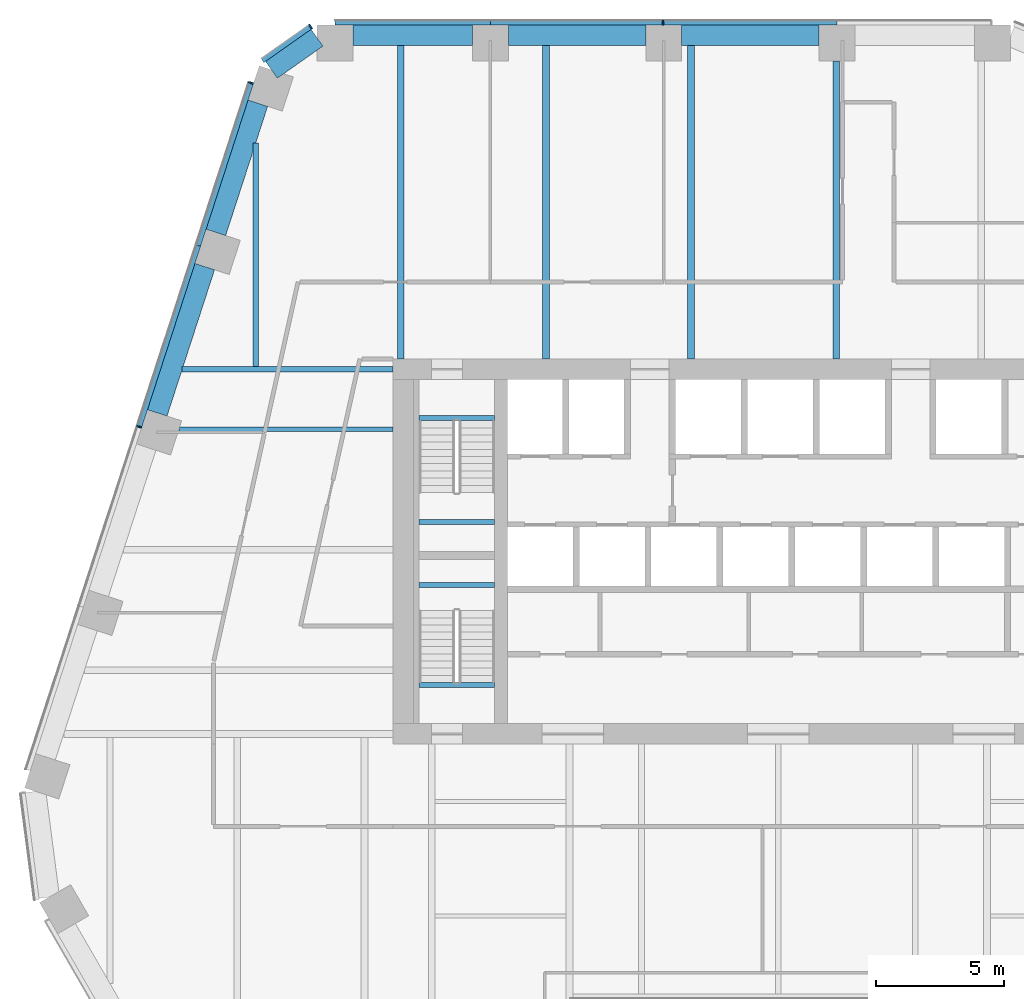
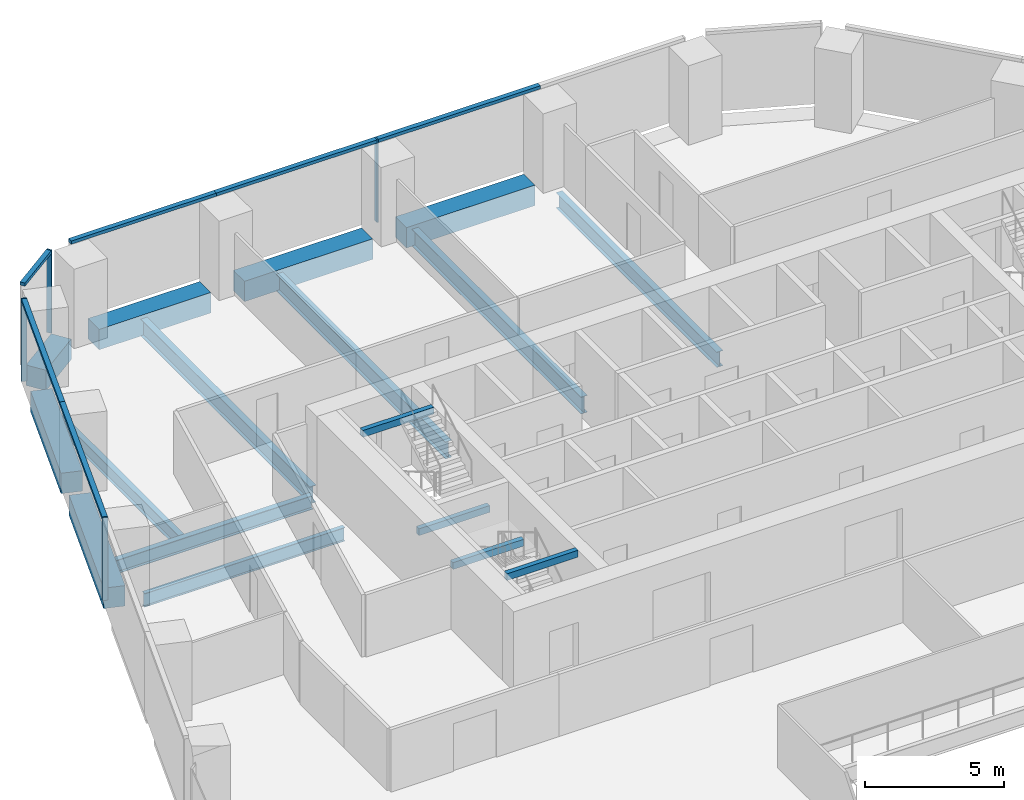
# One storey, part 7 of 16: 17 beams, 10 members, 3 elements without a shape of their own.
"""IFC4 building model written with IfcOpenShell, lengths in metres."""

from ifc_helpers import new_model, si_unit, direction, frame, origin, origin_2d, place, context, subcontext, project, spatial, rectangle, i_section, extrude, material, layer, layer_set, material_profile, profile_set, type_object, element, aggregate, save


model = new_model("IFC4")

# Units and contexts
model_context = context("Model", 3, precision=1e-05, world=origin(), true_north=direction((0.0, 1.0)))
body_context = subcontext(model_context, "Body", "Model", "MODEL_VIEW")
ifc_project = project(units=[si_unit("LENGTHUNIT", "METRE"), si_unit("AREAUNIT", "SQUARE_METRE"), si_unit("VOLUMEUNIT", "CUBIC_METRE"), si_unit("PLANEANGLEUNIT", "RADIAN"), si_unit("MASSUNIT", "GRAM", prefix="KILO")], contexts=[model_context])

# Site, building, storey
site_placement = place(None, origin())
site = spatial("IfcSite", under=ifc_project, at=site_placement, CompositionType="ELEMENT")
building_placement = place(site_placement, origin())
building = spatial("IfcBuilding", under=site, at=building_placement, Name="Isthmus Gate Tower", CompositionType="ELEMENT")
storey_placement = place(building_placement, frame((0.0, 0.0, 140.75)))
storey = spatial("IfcBuildingStorey", under=building, at=storey_placement, Name="L34", CompositionType="ELEMENT", Elevation=140.75)

# Curtain wall, member
ifc_material_1 = material(Name="Aluminium, pale champagne anodised", Category="aluminium")
ifc_layer = layer(ifc_material_1, 0.199951171875)
ifc_layer_set = layer_set([ifc_layer], Name="CW-1 UNITISED CURTAIN WALL 200 DEEP")
curtain_wall_type = type_object("IfcCurtainWallType", Name="CW-1 UNITISED CURTAIN WALL 200 DEEP", PredefinedType="NOTDEFINED", material=ifc_layer_set)
curtain_wall_1_placement = place(storey_placement, origin())
curtain_wall_1 = element("IfcCurtainWall", 1, at=curtain_wall_1_placement, inside=storey, type_object=curtain_wall_type, Name="CW-1 N L34", PredefinedType="NOTDEFINED")
ifc_material_2 = material(Name="Aluminium, pale champagne anodised", Category="aluminium")
ifc_material_profile_1 = material_profile(ifc_material_2, rectangle(XDim=0.06005859375, YDim=0.199951171875, at=origin_2d()), Name="60x200")
ifc_profile_set_1 = profile_set([ifc_material_profile_1], Name="Aluminium, pale champagne anodised")
member_type_1 = type_object("IfcMemberType", Name="CW-1 MULLION 60 X 200", PredefinedType="MULLION", material=ifc_profile_set_1)
member_1_placement = place(storey_placement, frame((-4.49169921875, 28.10009765625, 0.0), z_axis=(0.0, 0.0, 1.0), x_axis=(-1.0, 0.0, 0.0)))
member_1 = element("IfcMember", 2, at=member_1_placement, type_object=member_type_1, Name="CW-1 mullion", PredefinedType="MULLION", context=body_context, shape_type="SweptSolid", body=[
    extrude(rectangle(XDim=0.06005859375, YDim=0.199951171875, at=origin_2d()), origin(), (0.0, 0.0, 1.0), 3.64990234375),
])

curtain_wall_2_placement = place(storey_placement, origin())
curtain_wall_2 = element("IfcCurtainWall", 3, at=curtain_wall_2_placement, inside=storey, type_object=curtain_wall_type, Name="CW-1 N-NW L34", PredefinedType="NOTDEFINED")
member_2_placement = place(storey_placement, frame((-18.216552734375, 27.943115234375, 0.0), z_axis=(0.0, 0.0, 1.0), x_axis=(-0.81785959165, -0.57541783805, 0.0)))
member_2 = element("IfcMember", 4, at=member_2_placement, type_object=member_type_1, Name="CW-1 mullion", PredefinedType="MULLION", context=body_context, shape_type="SweptSolid", body=[
    extrude(rectangle(XDim=0.06005859375, YDim=0.199951171875, at=origin_2d()), origin(), (0.0, 0.0, 1.0), 3.64990234375),
])

# Curtain wall, members
curtain_wall_3_placement = place(storey_placement, origin())
curtain_wall_3 = element("IfcCurtainWall", 5, at=curtain_wall_3_placement, inside=storey, type_object=curtain_wall_type, Name="CW-1 NW L34", PredefinedType="NOTDEFINED")
member_3_placement = place(storey_placement, frame((-20.53564453125, 25.75146484375, 0.0), z_axis=(0.0, 0.0, 1.0), x_axis=(-0.309016994375, -0.951056516295, 0.0)))
member_3 = element("IfcMember", 6, at=member_3_placement, type_object=member_type_1, Name="CW-1 mullion", PredefinedType="MULLION", context=body_context, shape_type="SweptSolid", body=[
    extrude(rectangle(XDim=0.06005859375, YDim=0.199951171875, at=origin_2d()), origin(), (0.0, 0.0, 1.0), 3.64990234375),
])
member_4_placement = place(storey_placement, frame((-24.886962890625, 12.359130859375, 0.0), z_axis=(0.0, 0.0, 1.0), x_axis=(-0.309016994375, -0.951056516295, 0.0)))
member_4 = element("IfcMember", 7, at=member_4_placement, type_object=member_type_1, Name="CW-1 mullion", PredefinedType="MULLION", context=body_context, shape_type="SweptSolid", body=[
    extrude(rectangle(XDim=0.06005859375, YDim=0.199951171875, at=origin_2d()), origin(), (0.0, 0.0, 1.0), 3.64990234375),
])

# Member
ifc_material_3 = material(Name="Aluminium, pale champagne anodised", Category="aluminium")
ifc_material_profile_2 = material_profile(ifc_material_3, rectangle(XDim=0.199951171875, YDim=0.139892578125, at=origin_2d()), Name="200x140")
ifc_profile_set_2 = profile_set([ifc_material_profile_2], Name="Aluminium, pale champagne anodised")
member_type_2 = type_object("IfcMemberType", Name="CW-1 TRANSOM 200 X 140", PredefinedType="USERDEFINED", material=ifc_profile_set_2)
member_5_placement = place(storey_placement, frame((2.288330078125, 28.10009765625, 3.580078125), z_axis=(-1.0, 0.0, 0.0), x_axis=(0.0, -1.0, 0.0)))
member_5 = element("IfcMember", 8, at=member_5_placement, type_object=member_type_2, Name="CW-1 transom", ObjectType="TRANSOM", PredefinedType="USERDEFINED", context=body_context, shape_type="SweptSolid", body=[
    extrude(rectangle(XDim=0.199951171875, YDim=0.139892578125, at=origin_2d()), origin(), (0.0, 0.0, 1.0), 6.75),
])

member_6_placement = place(storey_placement, frame((-4.521728515625, 28.10009765625, 3.580078125), z_axis=(-1.0, 0.0, 0.0), x_axis=(0.0, -1.0, 0.0)))
member_6 = element("IfcMember", 9, at=member_6_placement, type_object=member_type_2, Name="CW-1 transom", ObjectType="TRANSOM", PredefinedType="USERDEFINED", context=body_context, shape_type="SweptSolid", body=[
    extrude(rectangle(XDim=0.199951171875, YDim=0.139892578125, at=origin_2d()), origin(), (0.0, 0.0, 1.0), 6.690185546875),
])

member_7_placement = place(storey_placement, frame((-11.2119140625, 28.10009765625, 3.580078125), z_axis=(-1.0, 0.0, 0.0), x_axis=(0.0, -1.0, 0.0)))
member_7 = element("IfcMember", 10, at=member_7_placement, type_object=member_type_2, Name="CW-1 transom", ObjectType="TRANSOM", PredefinedType="USERDEFINED", context=body_context, shape_type="SweptSolid", body=[
    extrude(rectangle(XDim=0.199951171875, YDim=0.139892578125, at=origin_2d()), origin(), (0.0, 0.0, 1.0), 6.050048828125),
])

aggregate(curtain_wall_1, [member_5, member_1, member_6, member_7])

member_8_placement = place(storey_placement, frame((-18.2412109375, 27.92578125, 3.580078125), z_axis=(-0.817868595604, -0.575405040233, 0.0), x_axis=(0.575405040233, -0.817868595604, 0.0)))
member_8 = element("IfcMember", 11, at=member_8_placement, type_object=member_type_2, Name="CW-1 transom", ObjectType="TRANSOM", PredefinedType="USERDEFINED", context=body_context, shape_type="SweptSolid", body=[
    extrude(rectangle(XDim=0.199951171875, YDim=0.139892578125, at=origin_2d()), origin(), (0.0, 0.0, 1.0), 2.258544921875),
])

aggregate(curtain_wall_2, [member_2, member_8])

member_9_placement = place(storey_placement, frame((-20.544921875, 25.72314453125, 3.580078125), z_axis=(-0.30898366881, -0.951067343782, 0.0), x_axis=(0.951067343782, -0.30898366881, 0.0)))
member_9 = element("IfcMember", 12, at=member_9_placement, type_object=member_type_2, Name="CW-1 transom", ObjectType="TRANSOM", PredefinedType="USERDEFINED", context=body_context, shape_type="SweptSolid", body=[
    extrude(rectangle(XDim=0.199951171875, YDim=0.139892578125, at=origin_2d()), origin(), (0.0, 0.0, 1.0), 6.630859375),
])

member_10_placement = place(storey_placement, frame((-22.59375, 19.416748046875, 3.580078125), z_axis=(-0.309024076379, -0.951054215183, 0.0), x_axis=(0.951054215183, -0.309024076379, 0.0)))
member_10 = element("IfcMember", 13, at=member_10_placement, type_object=member_type_2, Name="CW-1 transom", ObjectType="TRANSOM", PredefinedType="USERDEFINED", context=body_context, shape_type="SweptSolid", body=[
    extrude(rectangle(XDim=0.199951171875, YDim=0.139892578125, at=origin_2d()), origin(), (0.0, 0.0, 1.0), 7.390869140625),
])

aggregate(curtain_wall_3, [member_3, member_9, member_10, member_4])

# Beams
ifc_material_4 = material(Name="Concrete f'c 60 MPa", Category="concrete")
ifc_material_profile_3 = material_profile(ifc_material_4, rectangle(XDim=0.800048828125, YDim=0.89990234375, at=origin_2d()), Name="RC 800X900")
ifc_profile_set_3 = profile_set([ifc_material_profile_3], Name="Concrete f'c 60 MPa")
beam_type_1 = type_object("IfcBeamType", Name="RC SPANDREL 800 X 900", PredefinedType="SPANDREL", material=ifc_profile_set_3)
beam_1_placement = place(storey_placement, frame((-24.185791015625, 12.89892578125, -0.449951171875), z_axis=(0.308992998998, 0.951064312531, 0.0), x_axis=(-0.951064312531, 0.308992998998, 0.0)))
element("IfcBeam", 14, at=beam_1_placement, inside=storey, type_object=beam_type_1, Name="str-spandrel-L34-23", PredefinedType="SPANDREL", context=body_context, shape_type="SweptSolid", body=[
    extrude(rectangle(XDim=0.800048828125, YDim=0.89990234375, at=origin_2d()), origin(), (0.0, 0.0, 1.0), 5.99072265625),
])
beam_2_placement = place(storey_placement, frame((-21.902099609375, 19.927978515625, -0.449951171875), z_axis=(0.309020339202, 0.951055429489, 0.0), x_axis=(-0.951055429489, 0.309020339202, 0.0)))
element("IfcBeam", 15, at=beam_2_placement, inside=storey, type_object=beam_type_1, Name="str-spandrel-L34-24", PredefinedType="SPANDREL", context=body_context, shape_type="SweptSolid", body=[
    extrude(rectangle(XDim=0.800048828125, YDim=0.89990234375, at=origin_2d()), origin(), (0.0, 0.0, 1.0), 5.291015625),
])
beam_3_placement = place(storey_placement, frame((-19.7392578125, 26.260498046875, -0.449951171875), z_axis=(0.817857331203, 0.575421050882, 0.0), x_axis=(-0.575421050882, 0.817857331203, 0.0)))
element("IfcBeam", 16, at=beam_3_placement, inside=storey, type_object=beam_type_1, Name="str-spandrel-L34-25", PredefinedType="SPANDREL", context=body_context, shape_type="SweptSolid", body=[
    extrude(rectangle(XDim=0.800048828125, YDim=0.89990234375, at=origin_2d()), origin(), (0.0, 0.0, 1.0), 2.173095703125),
])
beam_4_placement = place(storey_placement, frame((-16.56201171875, 27.60009765625, -0.449951171875), z_axis=(1.0, 0.0, 0.0), x_axis=(0.0, 1.0, 0.0)))
element("IfcBeam", 17, at=beam_4_placement, inside=storey, type_object=beam_type_1, Name="str-spandrel-L34-26", PredefinedType="SPANDREL", context=body_context, shape_type="SweptSolid", body=[
    extrude(rectangle(XDim=0.800048828125, YDim=0.89990234375, at=origin_2d()), origin(), (0.0, 0.0, 1.0), 4.650146484375),
])
for number, where, z_axis, x_axis, name in (
    (18, (-10.51171875, 27.60009765625, -0.449951171875), (1.0, 0.0, 0.0), (0.0, 1.0, 0.0), "str-spandrel-L34-27"),
    (19, (-3.76171875, 27.60009765625, -0.449951171875), (1.0, 0.0, 0.0), (0.0, 1.0, 0.0), "str-spandrel-L34-28"),
):
    element("IfcBeam", number, at=place(storey_placement, frame(where, z_axis=z_axis, x_axis=x_axis)), inside=storey, type_object=beam_type_1, Name=name, PredefinedType="SPANDREL", context=body_context, shape_type="SweptSolid", body=[
        extrude(rectangle(XDim=0.800048828125, YDim=0.89990234375, at=origin_2d()), origin(), (0.0, 0.0, 1.0), 5.35009765625),
    ])
ifc_material_5 = material(Name="Concrete f'c 40 MPa", Category="concrete")
ifc_material_profile_4 = material_profile(ifc_material_5, rectangle(XDim=0.199951171875, YDim=0.300048828125, at=origin_2d()), Name="STAIR LANDING BEAM RC 200 X 300")
ifc_profile_set_4 = profile_set([ifc_material_profile_4], Name="Concrete f'c 40 MPa")
beam_type_2 = type_object("IfcBeamType", Name="STAIR LANDING BEAM RC 200 X 300", PredefinedType="BEAM", material=ifc_profile_set_4)
for number, where, z_axis, x_axis, name in (
    (20, (-14.0, 8.64990234375, 1.47509765625), (1.0, 0.0, 0.0), (0.0, 1.0, 0.0), "L34 ST1 landing beam 1"),
    (21, (-14.0, 12.7001953125, 3.35009765625), (1.0, 0.0, 0.0), (0.0, 1.0, 0.0), "L34 ST1 floor-edge seat beam"),
    (22, (-14.0, 6.199951171875, 1.47509765625), (1.0, 0.0, 0.0), (0.0, 1.0, 0.0), "L34 ST7 landing beam 1"),
    (23, (-14.0, 2.2998046875, 3.35009765625), (1.0, 0.0, 0.0), (0.0, 1.0, 0.0), "L34 ST7 floor-edge seat beam"),
):
    element("IfcBeam", number, at=place(storey_placement, frame(where, z_axis=z_axis, x_axis=x_axis)), inside=storey, type_object=beam_type_2, Name=name, PredefinedType="BEAM", context=body_context, shape_type="SweptSolid", body=[
        extrude(rectangle(XDim=0.199951171875, YDim=0.300048828125, at=origin_2d()), origin(), (0.0, 0.0, 1.0), 2.949951171875),
    ])
ifc_material_6 = material(Name="Structural steel ASTM A992 Gr 50", Category="steel")
ifc_material_profile_5 = material_profile(ifc_material_6, i_section(OverallWidth=0.177734375, OverallDepth=0.60009765625, WebThickness=0.009521484375, FlangeThickness=0.0126953125, at=origin_2d()), Name="W24X55")
ifc_profile_set_5 = profile_set([ifc_material_profile_5], Name="Structural steel ASTM A992 Gr 50")
beam_type_3 = type_object("IfcBeamType", Name="STEEL FLOOR BEAM W24X55", PredefinedType="JOIST", material=ifc_profile_set_5)
beam_5_placement = place(storey_placement, frame((-23.343505859375, 12.25537109375, -0.449951171875), z_axis=(1.0, 0.0, 0.0), x_axis=(0.0, 1.0, 0.0)))
element("IfcBeam", 24, at=beam_5_placement, inside=storey, type_object=beam_type_3, Name="str-beam-L34-01-02", PredefinedType="JOIST", context=body_context, shape_type="SweptSolid", body=[
    extrude(i_section(OverallWidth=0.177734375, OverallDepth=0.60009765625, WebThickness=0.009521484375, FlangeThickness=0.0126953125, at=origin_2d()), origin(), (0.0, 0.0, 1.0), 8.343505859375),
])
ifc_material_7 = material(Name="Structural steel ASTM A992 Gr 50", Category="steel")
ifc_material_profile_6 = material_profile(ifc_material_7, i_section(OverallWidth=0.228515625, OverallDepth=0.603271484375, WebThickness=0.010986328125, FlangeThickness=0.014404296875, at=origin_2d()), Name="W24X68")
ifc_profile_set_6 = profile_set([ifc_material_profile_6], Name="Structural steel ASTM A992 Gr 50")
beam_type_4 = type_object("IfcBeamType", Name="STEEL FLOOR BEAM W24X68", PredefinedType="JOIST", material=ifc_profile_set_6)
beam_6_placement = place(storey_placement, frame((-20.35009765625, 14.71435546875, -0.45166015625), z_axis=(0.0, 1.0, 0.0), x_axis=(-1.0, 0.0, 0.0)))
element("IfcBeam", 25, at=beam_6_placement, inside=storey, type_object=beam_type_4, Name="str-beam-L34-05-00", PredefinedType="JOIST", context=body_context, shape_type="SweptSolid", body=[
    extrude(i_section(OverallWidth=0.228515625, OverallDepth=0.603271484375, WebThickness=0.010986328125, FlangeThickness=0.014404296875, at=origin_2d()), origin(), (0.0, 0.0, 1.0), 8.6953125),
])
ifc_material_8 = material(Name="Structural steel ASTM A992 Gr 50", Category="steel")
ifc_material_profile_7 = material_profile(ifc_material_8, i_section(OverallWidth=0.25390625, OverallDepth=0.679443359375, WebThickness=0.010986328125, FlangeThickness=0.015869140625, at=origin_2d()), Name="W27X84")
ifc_profile_set_7 = profile_set([ifc_material_profile_7], Name="Structural steel ASTM A992 Gr 50")
beam_type_5 = type_object("IfcBeamType", Name="STEEL FLOOR BEAM W27X84", PredefinedType="JOIST", material=ifc_profile_set_7)
beam_7_placement = place(storey_placement, frame((2.25244140625, 15.0, -0.48974609375), z_axis=(0.0, 1.0, 0.0), x_axis=(-1.0, 0.0, 0.0)))
element("IfcBeam", 26, at=beam_7_placement, inside=storey, type_object=beam_type_5, Name="str-beam-L34-05-04", PredefinedType="JOIST", context=body_context, shape_type="SweptSolid", body=[
    extrude(i_section(OverallWidth=0.25390625, OverallDepth=0.679443359375, WebThickness=0.010986328125, FlangeThickness=0.015869140625, at=origin_2d()), origin(), (0.0, 0.0, 1.0), 11.60009765625),
])
ifc_material_9 = material(Name="Structural steel ASTM A992 Gr 50", Category="steel")
ifc_material_profile_8 = material_profile(ifc_material_9, i_section(OverallWidth=0.263427734375, OverallDepth=0.749267578125, WebThickness=0.0126953125, FlangeThickness=0.015869140625, at=origin_2d()), Name="W30X90")
ifc_profile_set_8 = profile_set([ifc_material_profile_8], Name="Structural steel ASTM A992 Gr 50")
beam_type_6 = type_object("IfcBeamType", Name="STEEL FLOOR BEAM W30X90", PredefinedType="JOIST", material=ifc_profile_set_8)
for number, where, z_axis, x_axis, name in (
    (27, (-14.699462890625, 15.0, -0.524658203125), (0.0, 1.0, 0.0), (-1.0, 0.0, 0.0), "str-beam-L34-05-01"),
    (28, (-9.048828125, 15.0, -0.524658203125), (0.0, 1.0, 0.0), (-1.0, 0.0, 0.0), "str-beam-L34-05-02"),
    (29, (-3.398193359375, 15.0, -0.524658203125), (0.0, 1.0, 0.0), (-1.0, 0.0, 0.0), "str-beam-L34-05-03"),
):
    element("IfcBeam", number, at=place(storey_placement, frame(where, z_axis=z_axis, x_axis=x_axis)), inside=storey, type_object=beam_type_6, Name=name, PredefinedType="JOIST", context=body_context, shape_type="SweptSolid", body=[
        extrude(i_section(OverallWidth=0.263427734375, OverallDepth=0.749267578125, WebThickness=0.0126953125, FlangeThickness=0.015869140625, at=origin_2d()), origin(), (0.0, 0.0, 1.0), 12.199951171875),
    ])
ifc_material_10 = material(Name="Structural steel ASTM A992 Gr 50", Category="steel")
ifc_material_profile_9 = material_profile(ifc_material_10, i_section(OverallWidth=0.228515625, OverallDepth=0.6064453125, WebThickness=0.010986328125, FlangeThickness=0.017578125, at=origin_2d()), Name="W24X76")
ifc_profile_set_9 = profile_set([ifc_material_profile_9], Name="Structural steel ASTM A992 Gr 50")
beam_type_7 = type_object("IfcBeamType", Name="STEEL GIRDER W24X76", PredefinedType="BEAM", material=ifc_profile_set_9)
beam_8_placement = place(storey_placement, frame((-15.0, 14.60009765625, -0.453125), z_axis=(-1.0, 0.0, 0.0), x_axis=(0.0, -1.0, 0.0)))
element("IfcBeam", 30, at=beam_8_placement, inside=storey, type_object=beam_type_7, Name="str-girder-L34-15", PredefinedType="BEAM", context=body_context, shape_type="SweptSolid", body=[
    extrude(i_section(OverallWidth=0.228515625, OverallDepth=0.6064453125, WebThickness=0.010986328125, FlangeThickness=0.017578125, at=origin_2d()), origin(), (0.0, 0.0, 1.0), 8.212646484375),
])

save(model, "model.ifc")
